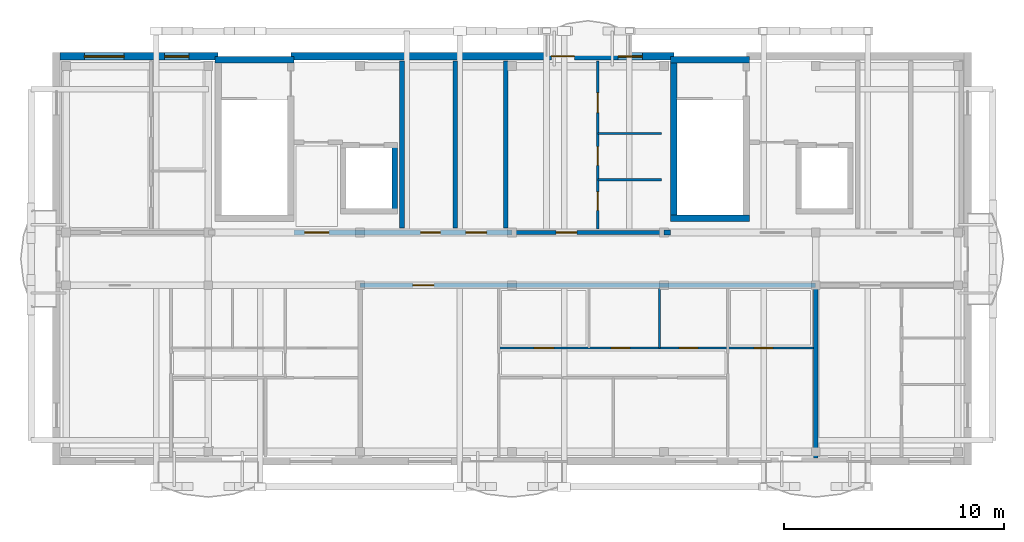
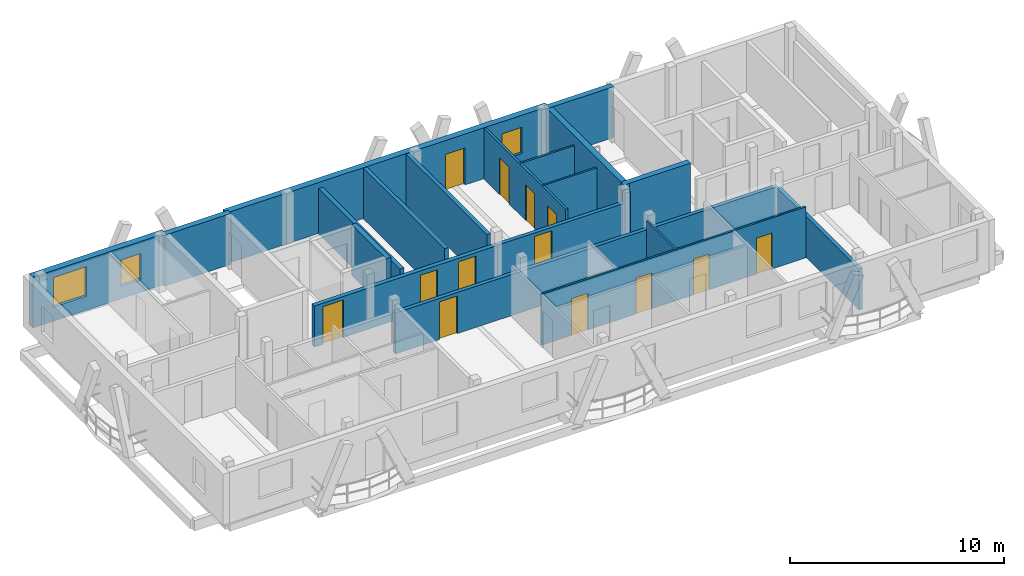
# One storey, part 4 of 7: 20 walls, 13 doors, 3 windows, 16 openings.
"""IFC4 building model written with IfcOpenShell, lengths in metres."""

from ifc_helpers import new_model, si_unit, direction, frame, frame_2d, origin, origin_with_axes, place, context, subcontext, project, spatial, rectangle, extrude, material, layer, layer_set, type_object, element, fill, save


model = new_model("IFC4")

# Units and contexts
model_context = context("Model", 3, precision=1e-05, world=origin(), true_north=direction((0.0, 1.0)))
body_context = subcontext(model_context, "Body", "Model", "MODEL_VIEW")
ifc_project = project(units=[si_unit("LENGTHUNIT", "METRE"), si_unit("AREAUNIT", "SQUARE_METRE"), si_unit("VOLUMEUNIT", "CUBIC_METRE"), si_unit("PLANEANGLEUNIT", "RADIAN"), si_unit("MASSUNIT", "GRAM", prefix="KILO")], contexts=[model_context])

# Site, building, storey
site_placement = place(None, origin())
site = spatial("IfcSite", under=ifc_project, at=site_placement, CompositionType="ELEMENT")
building_placement = place(site_placement, origin())
building = spatial("IfcBuilding", under=site, at=building_placement, Name="Zavelmont Quarter", CompositionType="ELEMENT")
storey_placement = place(building_placement, frame((0.0, 0.0, 46.39990234375)))
storey = spatial("IfcBuildingStorey", under=building, at=storey_placement, Name="L14", CompositionType="ELEMENT", Elevation=46.39990234375)

# Wall, openings, windows
ifc_material_1 = material(Name="Natural Belgian limestone", Category="masonry")
ifc_layer_1 = layer(ifc_material_1, 0.340087890625)
ifc_layer_set_1 = layer_set([ifc_layer_1], Name="Natural Belgian limestone")
wall_type_1 = type_object("IfcWallType", Name="EW03", PredefinedType="STANDARD", material=ifc_layer_set_1)
wall_1_placement = place(storey_placement, frame((0.159912109375, 18.39990234375, 0.0), z_axis=(0.0, 0.0, 1.0), x_axis=(1.0, 0.0, 0.0)))
wall_1 = element("IfcWall", 1, at=wall_1_placement, inside=storey, type_object=wall_type_1, Name="L14 exterior limestone wall EW03", PredefinedType="STANDARD", context=body_context, shape_type="SweptSolid", body=[
    extrude(rectangle(XDim=7.190185546875, YDim=0.340087890625, at=frame_2d((3.59521484375, 0.0))), origin(), (0.0, 0.0, 1.0), 2.91015625),
])
opening_1_placement = place(wall_1_placement, frame((1.110107421875, 0.0, 0.800048828125)))
opening_1 = element("IfcOpeningElement", 2, at=opening_1_placement, cuts=wall_1, Name="Opening WN02", PredefinedType="OPENING", context=body_context, shape_type="SweptSolid", body=[
    extrude(rectangle(XDim=1.800048828125, YDim=1.699951171875, at=frame_2d((0.89990234375, 0.85009765625))), frame((0.0, 0.18212890625, 0.0), z_axis=(0.0, -1.0, 0.0), x_axis=(1.0, 0.0, 0.0)), (0.0, 0.0, 1.0), 0.364013671875),
])
opening_2_placement = place(wall_1_placement, frame((4.760009765625, 0.0, 0.719970703125)))
opening_2 = element("IfcOpeningElement", 3, at=opening_2_placement, cuts=wall_1, Name="Opening WN09", PredefinedType="OPENING", context=body_context, shape_type="SweptSolid", body=[
    extrude(rectangle(XDim=1.10009765625, YDim=1.5, at=frame_2d((0.550048828125, 0.75))), frame((0.0, 0.18212890625, 0.0), z_axis=(0.0, -1.0, 0.0), x_axis=(1.0, 0.0, 0.0)), (0.0, 0.0, 1.0), 0.364013671875),
])
ifc_material_2 = material(Name="Double low-E insulated glazing in thermally broken aluminium frame", Category="aluminium")
window_type_1 = type_object("IfcWindowType", Name="WN02", PartitioningType="SINGLE_PANEL", PredefinedType="WINDOW", material=ifc_material_2)
window_1_placement = place(opening_1_placement, origin_with_axes())
window_1 = element("IfcWindow", 4, at=window_1_placement, inside=storey, type_object=window_type_1, Name="L14 window WN02", OverallHeight=1.699951171875, OverallWidth=1.800048828125, PartitioningType="SINGLE_PANEL", PredefinedType="WINDOW", context=body_context, shape_type="SweptSolid", body=[
    extrude(rectangle(XDim=1.800048828125, YDim=1.699951171875, at=frame_2d((0.89990234375, 0.85009765625))), frame((0.0, 0.030029296875, 0.0), z_axis=(0.0, -1.0, 0.0), x_axis=(1.0, 0.0, 0.0)), (0.0, 0.0, 1.0), 0.06005859375),
])
fill(opening_1, window_1)
window_type_2 = type_object("IfcWindowType", Name="WN09", PartitioningType="SINGLE_PANEL", PredefinedType="WINDOW", material=ifc_material_2)
window_2_placement = place(opening_2_placement, origin_with_axes())
window_2 = element("IfcWindow", 5, at=window_2_placement, inside=storey, type_object=window_type_2, Name="L14 window WN09", OverallHeight=1.5, OverallWidth=1.10009765625, PartitioningType="SINGLE_PANEL", PredefinedType="WINDOW", context=body_context, shape_type="SweptSolid", body=[
    extrude(rectangle(XDim=1.10009765625, YDim=1.5, at=frame_2d((0.550048828125, 0.75))), frame((0.0, 0.030029296875, 0.0), z_axis=(0.0, -1.0, 0.0), x_axis=(1.0, 0.0, 0.0)), (0.0, 0.0, 1.0), 0.06005859375),
])
fill(opening_2, window_2)

# Wall, openings, door, window
wall_2_placement = place(storey_placement, frame((10.64990234375, 18.39990234375, 0.0), z_axis=(0.0, 0.0, 1.0), x_axis=(1.0, 0.0, 0.0)))
wall_2 = element("IfcWall", 6, at=wall_2_placement, inside=storey, type_object=wall_type_1, Name="L14 exterior limestone wall EW03", PredefinedType="STANDARD", context=body_context, shape_type="SweptSolid", body=[
    extrude(rectangle(XDim=17.400146484375, YDim=0.340087890625, at=frame_2d((8.7001953125, 0.0))), origin(), (0.0, 0.0, 1.0), 2.91015625),
])
opening_3_placement = place(wall_2_placement, frame((11.83740234375, 0.0, 0.0)))
opening_3 = element("IfcOpeningElement", 7, at=opening_3_placement, cuts=wall_2, Name="Opening DR04A", PredefinedType="OPENING", context=body_context, shape_type="SweptSolid", body=[
    extrude(rectangle(XDim=1.050048828125, YDim=2.1201171875, at=frame_2d((0.52490234375, 1.06005859375))), frame((0.0, 0.18212890625, 0.0), z_axis=(0.0, -1.0, 0.0), x_axis=(1.0, 0.0, 0.0)), (0.0, 0.0, 1.0), 0.364013671875),
])
opening_4_placement = place(wall_2_placement, frame((14.8701171875, 0.0, 0.719970703125)))
opening_4 = element("IfcOpeningElement", 8, at=opening_4_placement, cuts=wall_2, Name="Opening WN09", PredefinedType="OPENING", context=body_context, shape_type="SweptSolid", body=[
    extrude(rectangle(XDim=1.10009765625, YDim=1.5, at=frame_2d((0.550048828125, 0.75))), frame((0.0, 0.18212890625, 0.0), z_axis=(0.0, -1.0, 0.0), x_axis=(1.0, 0.0, 0.0)), (0.0, 0.0, 1.0), 0.364013671875),
])
ifc_material_3 = material(Name="Thermally broken aluminium and double safety glass", Category="aluminium")
door_type_1 = type_object("IfcDoorType", Name="DR04A", OperationType="NOTDEFINED", PredefinedType="DOOR", material=ifc_material_3)
door_1_placement = place(opening_3_placement, frame((1.050048828125, 0.0, 0.0), z_axis=(0.0, 0.0, 1.0), x_axis=(-1.0, 0.0, 0.0)))
door_1 = element("IfcDoor", 9, at=door_1_placement, inside=storey, type_object=door_type_1, Name="Block A L14 glazed balcony door", OperationType="SINGLE_SWING_LEFT", OverallHeight=2.1201171875, OverallWidth=1.050048828125, PredefinedType="DOOR", context=body_context, shape_type="SweptSolid", body=[
    extrude(rectangle(XDim=1.050048828125, YDim=2.1201171875, at=frame_2d((0.52490234375, 1.06005859375))), frame((0.0, 0.02490234375, 0.0), z_axis=(0.0, -1.0, 0.0), x_axis=(1.0, 0.0, 0.0)), (0.0, 0.0, 1.0), 0.050048828125),
])
fill(opening_3, door_1)
window_3_placement = place(opening_4_placement, origin_with_axes())
window_3 = element("IfcWindow", 10, at=window_3_placement, inside=storey, type_object=window_type_2, Name="L14 window WN09", OverallHeight=1.5, OverallWidth=1.10009765625, PartitioningType="SINGLE_PANEL", PredefinedType="WINDOW", context=body_context, shape_type="SweptSolid", body=[
    extrude(rectangle(XDim=1.10009765625, YDim=1.5, at=frame_2d((0.550048828125, 0.75))), frame((0.0, 0.030029296875, 0.0), z_axis=(0.0, -1.0, 0.0), x_axis=(1.0, 0.0, 0.0)), (0.0, 0.0, 1.0), 0.06005859375),
])
fill(opening_4, window_3)

# Walls
ifc_material_4 = material(Name="Calcium-silicate blockwork and acoustic plaster", Category="masonry")
ifc_layer_2 = layer(ifc_material_4, 0.199951171875)
ifc_layer_set_2 = layer_set([ifc_layer_2], Name="Calcium-silicate blockwork and acoustic plaster")
wall_type_2 = type_object("IfcWallType", Name="IW01", PredefinedType="PARTITIONING", material=ifc_layer_set_2)
for number, where, z_axis, x_axis, name in (
    (11, (18.125, 10.60009765625, 0.0), (0.0, 0.0, 1.0), (0.0, 1.0, 0.0), "L14 Service riser divider wall IW01"),
    (12, (20.419921875, 10.60009765625, 0.0), (0.0, 0.0, 1.0), (0.0, 1.0, 0.0), "L14 Core service end wall IW01"),
):
    element("IfcWall", number, at=place(storey_placement, frame(where, z_axis=z_axis, x_axis=x_axis)), inside=storey, type_object=wall_type_2, Name=name, PredefinedType="PARTITIONING", context=body_context, shape_type="SweptSolid", body=[
        extrude(rectangle(XDim=7.599853515625, YDim=0.199951171875, at=frame_2d((3.7998046875, 0.0))), origin(), (0.0, 0.0, 1.0), 2.91015625),
    ])
wall_3_placement = place(storey_placement, frame((34.5, 7.85009765625, 0.0), z_axis=(0.0, 0.0, 1.0), x_axis=(0.0, -1.0, 0.0)))
element("IfcWall", 13, at=wall_3_placement, inside=storey, type_object=wall_type_2, Name="L14 Inter-dwelling compartment wall IW01", PredefinedType="PARTITIONING", context=body_context, shape_type="SweptSolid", body=[
    extrude(rectangle(XDim=7.7001953125, YDim=0.199951171875, at=frame_2d((3.85009765625, 0.0))), origin(), (0.0, 0.0, 1.0), 2.35009765625),
])

# Wall, opening, door
wall_4_placement = place(storey_placement, frame((13.800048828125, 8.0, 0.0), z_axis=(0.0, 0.0, 1.0), x_axis=(1.0, 0.0, 0.0)))
wall_4 = element("IfcWall", 14, at=wall_4_placement, inside=storey, type_object=wall_type_2, Name="L14 Corridor compartment wall IW01", PredefinedType="PARTITIONING", context=body_context, shape_type="SweptSolid", body=[
    extrude(rectangle(XDim=20.699951171875, YDim=0.199951171875, at=frame_2d((10.35009765625, 0.0))), origin(), (0.0, 0.0, 1.0), 2.35009765625),
])
opening_5_placement = place(wall_4_placement, frame((2.39990234375, 0.0, 0.0)))
opening_5 = element("IfcOpeningElement", 15, at=opening_5_placement, cuts=wall_4, Name="Opening DR02", PredefinedType="OPENING", context=body_context, shape_type="SweptSolid", body=[
    extrude(rectangle(XDim=0.949951171875, YDim=2.14990234375, at=frame_2d((0.47509765625, 1.074951171875))), frame((0.0, 0.11181640625, 0.0), z_axis=(0.0, -1.0, 0.0), x_axis=(1.0, 0.0, 0.0)), (0.0, 0.0, 1.0), 0.223876953125),
])
ifc_material_5 = material(Name="Solid-core oak fire leaf in steel frame", Category="steel")
door_type_2 = type_object("IfcDoorType", Name="DR02", OperationType="NOTDEFINED", PredefinedType="DOOR", material=ifc_material_5)
door_2_placement = place(opening_5_placement, frame((0.949951171875, 0.0, 0.0), z_axis=(0.0, 0.0, 1.0), x_axis=(-1.0, 0.0, 0.0)))
door_2 = element("IfcDoor", 16, at=door_2_placement, inside=storey, type_object=door_type_2, Name="L14 door DR02", OperationType="SINGLE_SWING_RIGHT", OverallHeight=2.14990234375, OverallWidth=0.949951171875, PredefinedType="DOOR", context=body_context, shape_type="SweptSolid", body=[
    extrude(rectangle(XDim=0.949951171875, YDim=2.14990234375, at=frame_2d((0.47509765625, 1.074951171875))), frame((0.0, 0.02490234375, 0.0), z_axis=(0.0, -1.0, 0.0), x_axis=(1.0, 0.0, 0.0)), (0.0, 0.0, 1.0), 0.050048828125),
])
fill(opening_5, door_2)

wall_5_placement = place(storey_placement, frame((20.699951171875, 10.39990234375, 0.0), z_axis=(0.0, 0.0, 1.0), x_axis=(1.0, 0.0, 0.0)))
wall_5 = element("IfcWall", 17, at=wall_5_placement, inside=storey, type_object=wall_type_2, Name="L14 Corridor compartment wall IW01", PredefinedType="PARTITIONING", context=body_context, shape_type="SweptSolid", body=[
    extrude(rectangle(XDim=6.900146484375, YDim=0.199951171875, at=frame_2d((3.4501953125, 0.0))), origin(), (0.0, 0.0, 1.0), 2.35009765625),
])
opening_6_placement = place(wall_5_placement, frame((2.0, 0.0, 0.0)))
opening_6 = element("IfcOpeningElement", 18, at=opening_6_placement, cuts=wall_5, Name="Opening DR02", PredefinedType="OPENING", context=body_context, shape_type="SweptSolid", body=[
    extrude(rectangle(XDim=0.949951171875, YDim=2.14990234375, at=frame_2d((0.47509765625, 1.074951171875))), frame((0.0, 0.11181640625, 0.0), z_axis=(0.0, -1.0, 0.0), x_axis=(1.0, 0.0, 0.0)), (0.0, 0.0, 1.0), 0.223876953125),
])
door_3_placement = place(opening_6_placement, origin_with_axes())
door_3 = element("IfcDoor", 19, at=door_3_placement, inside=storey, type_object=door_type_2, Name="L14 door DR02", OperationType="SINGLE_SWING_LEFT", OverallHeight=2.14990234375, OverallWidth=0.949951171875, PredefinedType="DOOR", context=body_context, shape_type="SweptSolid", body=[
    extrude(rectangle(XDim=0.949951171875, YDim=2.14990234375, at=frame_2d((0.47509765625, 1.074951171875))), frame((0.0, 0.02490234375, 0.0), z_axis=(0.0, -1.0, 0.0), x_axis=(1.0, 0.0, 0.0)), (0.0, 0.0, 1.0), 0.050048828125),
])
fill(opening_6, door_3)

# Wall
ifc_material_6 = material(Name="Reinforced masonry fire compartment wall", Category="masonry")
ifc_layer_3 = layer(ifc_material_6, 0.22509765625)
ifc_layer_set_3 = layer_set([ifc_layer_3], Name="Reinforced masonry fire compartment wall")
wall_type_3 = type_object("IfcWallType", Name="IW02", PredefinedType="PARTITIONING", material=ifc_layer_set_3)
wall_6_placement = place(storey_placement, frame((15.7099609375, 10.60009765625, 0.0), z_axis=(0.0, 0.0, 1.0), x_axis=(0.0, 1.0, 0.0)))
element("IfcWall", 20, at=wall_6_placement, inside=storey, type_object=wall_type_3, Name="L14 Firefighting lobby enclosure wall IW02", PredefinedType="PARTITIONING", context=body_context, shape_type="SweptSolid", body=[
    extrude(rectangle(XDim=7.599853515625, YDim=0.22509765625, at=frame_2d((3.7998046875, 0.0))), origin(), (0.0, 0.0, 1.0), 2.590087890625),
])

# Wall, openings, doors
wall_7_placement = place(storey_placement, frame((10.800048828125, 10.39990234375, 0.0), z_axis=(0.0, 0.0, 1.0), x_axis=(1.0, 0.0, 0.0)))
wall_7 = element("IfcWall", 21, at=wall_7_placement, inside=storey, type_object=wall_type_3, Name="L14 Core corridor fire wall IW02", PredefinedType="PARTITIONING", context=body_context, shape_type="SweptSolid", body=[
    extrude(rectangle(XDim=9.89990234375, YDim=0.22509765625, at=frame_2d((4.949951171875, 0.0))), origin(), (0.0, 0.0, 1.0), 2.35009765625),
])
opening_7_placement = place(wall_7_placement, frame((0.47509765625, 0.0, 0.0)))
opening_7 = element("IfcOpeningElement", 22, at=opening_7_placement, cuts=wall_7, Name="Opening DR10", PredefinedType="OPENING", context=body_context, shape_type="SweptSolid", body=[
    extrude(rectangle(XDim=1.10009765625, YDim=2.14990234375, at=frame_2d((0.550048828125, 1.074951171875))), frame((0.0, 0.12451171875, 0.0), z_axis=(0.0, -1.0, 0.0), x_axis=(1.0, 0.0, 0.0)), (0.0, 0.0, 1.0), 0.2490234375),
])
opening_8_placement = place(wall_7_placement, frame((5.75, 0.0, 0.0)))
opening_8 = element("IfcOpeningElement", 23, at=opening_8_placement, cuts=wall_7, Name="Opening DR11", PredefinedType="OPENING", context=body_context, shape_type="SweptSolid", body=[
    extrude(rectangle(XDim=0.89990234375, YDim=2.10009765625, at=frame_2d((0.449951171875, 1.050048828125))), frame((0.0, 0.12451171875, 0.0), z_axis=(0.0, -1.0, 0.0), x_axis=(1.0, 0.0, 0.0)), (0.0, 0.0, 1.0), 0.2490234375),
])
opening_9_placement = place(wall_7_placement, frame((7.800048828125, 0.0, 0.0)))
opening_9 = element("IfcOpeningElement", 24, at=opening_9_placement, cuts=wall_7, Name="Opening DR02", PredefinedType="OPENING", context=body_context, shape_type="SweptSolid", body=[
    extrude(rectangle(XDim=0.949951171875, YDim=2.14990234375, at=frame_2d((0.47509765625, 1.074951171875))), frame((0.0, 0.12451171875, 0.0), z_axis=(0.0, -1.0, 0.0), x_axis=(1.0, 0.0, 0.0)), (0.0, 0.0, 1.0), 0.2490234375),
])
door_4_placement = place(opening_9_placement, frame((0.949951171875, 0.0, 0.0), z_axis=(0.0, 0.0, 1.0), x_axis=(-1.0, 0.0, 0.0)))
door_4 = element("IfcDoor", 25, at=door_4_placement, inside=storey, type_object=door_type_2, Name="Auxiliary store corridor door", OperationType="SINGLE_SWING_RIGHT", OverallHeight=2.14990234375, OverallWidth=0.949951171875, PredefinedType="DOOR", context=body_context, shape_type="SweptSolid", body=[
    extrude(rectangle(XDim=0.949951171875, YDim=2.14990234375, at=frame_2d((0.47509765625, 1.074951171875))), frame((0.0, 0.02490234375, 0.0), z_axis=(0.0, -1.0, 0.0), x_axis=(1.0, 0.0, 0.0)), (0.0, 0.0, 1.0), 0.050048828125),
])
fill(opening_9, door_4)
ifc_material_7 = material(Name="Painted steel lobby fire door", Category="steel")
door_type_3 = type_object("IfcDoorType", Name="DR10", OperationType="NOTDEFINED", PredefinedType="DOOR", material=ifc_material_7)
door_5_placement = place(opening_7_placement, origin_with_axes())
door_5 = element("IfcDoor", 26, at=door_5_placement, inside=storey, type_object=door_type_3, Name="Core vestibule fire door", OperationType="SINGLE_SWING_LEFT", OverallHeight=2.14990234375, OverallWidth=1.10009765625, PredefinedType="DOOR", context=body_context, shape_type="SweptSolid", body=[
    extrude(rectangle(XDim=1.10009765625, YDim=2.14990234375, at=frame_2d((0.550048828125, 1.074951171875))), frame((0.0, 0.02490234375, 0.0), z_axis=(0.0, -1.0, 0.0), x_axis=(1.0, 0.0, 0.0)), (0.0, 0.0, 1.0), 0.050048828125),
])
fill(opening_7, door_5)
ifc_material_8 = material(Name="Painted steel service-riser fire door", Category="steel")
door_type_4 = type_object("IfcDoorType", Name="DR11", OperationType="NOTDEFINED", PredefinedType="DOOR", material=ifc_material_8)
door_6_placement = place(opening_8_placement, frame((0.89990234375, 0.0, 0.0), z_axis=(0.0, 0.0, 1.0), x_axis=(-1.0, 0.0, 0.0)))
door_6 = element("IfcDoor", 27, at=door_6_placement, inside=storey, type_object=door_type_4, Name="Service riser fire door", OperationType="SINGLE_SWING_LEFT", OverallHeight=2.10009765625, OverallWidth=0.89990234375, PredefinedType="DOOR", context=body_context, shape_type="SweptSolid", body=[
    extrude(rectangle(XDim=0.89990234375, YDim=2.10009765625, at=frame_2d((0.449951171875, 1.050048828125))), frame((0.0, 0.02490234375, 0.0), z_axis=(0.0, -1.0, 0.0), x_axis=(1.0, 0.0, 0.0)), (0.0, 0.0, 1.0), 0.050048828125),
])
fill(opening_8, door_6)

# Wall
wall_8_placement = place(storey_placement, frame((27.60009765625, 10.39990234375, 0.0), z_axis=(0.0, 0.0, 1.0), x_axis=(1.0, 0.0, 0.0)))
element("IfcWall", 28, at=wall_8_placement, inside=storey, type_object=wall_type_3, Name="L14 Core corridor wall IW02", PredefinedType="PARTITIONING", context=body_context, shape_type="SweptSolid", body=[
    extrude(rectangle(XDim=0.2998046875, YDim=0.22509765625, at=frame_2d((0.14990234375, 0.0))), origin(), (0.0, 0.0, 1.0), 2.91015625),
])

# Wall, openings, doors
ifc_material_9 = material(Name="Double gypsum board on acoustic steel stud", Category="steel")
ifc_layer_4 = layer(ifc_material_9, 0.125)
ifc_layer_set_4 = layer_set([ifc_layer_4], Name="Double gypsum board on acoustic steel stud")
wall_type_4 = type_object("IfcWallType", Name="IW03", PredefinedType="PARTITIONING", material=ifc_layer_set_4)
wall_9_placement = place(storey_placement, frame((24.60009765625, 10.550048828125, 0.0), z_axis=(0.0, 0.0, 1.0), x_axis=(0.0, 1.0, 0.0)))
wall_9 = element("IfcWall", 29, at=wall_9_placement, inside=storey, type_object=wall_type_4, Name="L14 Partition IW03", PredefinedType="PARTITIONING", context=body_context, shape_type="SweptSolid", body=[
    extrude(rectangle(XDim=7.64990234375, YDim=0.125, at=frame_2d((3.824951171875, 0.0))), origin(), (0.0, 0.0, 1.0), 2.91015625),
])
opening_10_placement = place(wall_9_placement, frame((0.85009765625, 0.0, 0.0)))
opening_10 = element("IfcOpeningElement", 30, at=opening_10_placement, cuts=wall_9, Name="Opening DR16", PredefinedType="OPENING", context=body_context, shape_type="SweptSolid", body=[
    extrude(rectangle(XDim=0.85009765625, YDim=2.10009765625, at=frame_2d((0.425048828125, 1.050048828125))), frame((0.0, 0.074462890625, 0.0), z_axis=(0.0, -1.0, 0.0), x_axis=(1.0, 0.0, 0.0)), (0.0, 0.0, 1.0), 0.14892578125),
])
opening_11_placement = place(wall_9_placement, frame((2.89990234375, 0.0, 0.0)))
opening_11 = element("IfcOpeningElement", 31, at=opening_11_placement, cuts=wall_9, Name="Opening DR06", PredefinedType="OPENING", context=body_context, shape_type="SweptSolid", body=[
    extrude(rectangle(XDim=0.85009765625, YDim=2.050048828125, at=frame_2d((0.425048828125, 1.02490234375))), frame((0.0, 0.074462890625, 0.0), z_axis=(0.0, -1.0, 0.0), x_axis=(1.0, 0.0, 0.0)), (0.0, 0.0, 1.0), 0.14892578125),
])
opening_12_placement = place(wall_9_placement, frame((5.300048828125, 0.0, 0.0)))
opening_12 = element("IfcOpeningElement", 32, at=opening_12_placement, cuts=wall_9, Name="Opening DR05", PredefinedType="OPENING", context=body_context, shape_type="SweptSolid", body=[
    extrude(rectangle(XDim=0.89990234375, YDim=2.10009765625, at=frame_2d((0.449951171875, 1.050048828125))), frame((0.0, 0.074462890625, 0.0), z_axis=(0.0, -1.0, 0.0), x_axis=(1.0, 0.0, 0.0)), (0.0, 0.0, 1.0), 0.14892578125),
])
ifc_material_10 = material(Name="Engineered oak flush interior door")
door_type_5 = type_object("IfcDoorType", Name="DR05", OperationType="NOTDEFINED", PredefinedType="DOOR", material=ifc_material_10)
door_7_placement = place(opening_12_placement, frame((0.89990234375, 0.0, 0.0), z_axis=(0.0, 0.0, 1.0), x_axis=(-1.0, 0.0, 0.0)))
door_7 = element("IfcDoor", 33, at=door_7_placement, inside=storey, type_object=door_type_5, Name="L14 door DR05", OperationType="SINGLE_SWING_LEFT", OverallHeight=2.10009765625, OverallWidth=0.89990234375, PredefinedType="DOOR", context=body_context, shape_type="SweptSolid", body=[
    extrude(rectangle(XDim=0.89990234375, YDim=2.10009765625, at=frame_2d((0.449951171875, 1.050048828125))), frame((0.0, 0.02490234375, 0.0), z_axis=(0.0, -1.0, 0.0), x_axis=(1.0, 0.0, 0.0)), (0.0, 0.0, 1.0), 0.050048828125),
])
fill(opening_12, door_7)
ifc_material_11 = material(Name="Moisture-resistant painted wet-room door")
door_type_6 = type_object("IfcDoorType", Name="DR06", OperationType="NOTDEFINED", PredefinedType="DOOR", material=ifc_material_11)
door_8_placement = place(opening_11_placement, origin_with_axes())
door_8 = element("IfcDoor", 34, at=door_8_placement, inside=storey, type_object=door_type_6, Name="L14 door DR06", OperationType="SINGLE_SWING_RIGHT", OverallHeight=2.050048828125, OverallWidth=0.85009765625, PredefinedType="DOOR", context=body_context, shape_type="SweptSolid", body=[
    extrude(rectangle(XDim=0.85009765625, YDim=2.050048828125, at=frame_2d((0.425048828125, 1.02490234375))), frame((0.0, 0.02490234375, 0.0), z_axis=(0.0, -1.0, 0.0), x_axis=(1.0, 0.0, 0.0)), (0.0, 0.0, 1.0), 0.050048828125),
])
fill(opening_11, door_8)
door_type_7 = type_object("IfcDoorType", Name="DR16", OperationType="NOTDEFINED", PredefinedType="DOOR", material=ifc_material_10)
door_9_placement = place(opening_10_placement, frame((0.85009765625, 0.0, 0.0), z_axis=(0.0, 0.0, 1.0), x_axis=(-1.0, 0.0, 0.0)))
door_9 = element("IfcDoor", 35, at=door_9_placement, inside=storey, type_object=door_type_7, Name="L14 door DR16", OperationType="SINGLE_SWING_LEFT", OverallHeight=2.10009765625, OverallWidth=0.85009765625, PredefinedType="DOOR", context=body_context, shape_type="SweptSolid", body=[
    extrude(rectangle(XDim=0.85009765625, YDim=2.10009765625, at=frame_2d((0.425048828125, 1.050048828125))), frame((0.0, 0.02490234375, 0.0), z_axis=(0.0, -1.0, 0.0), x_axis=(1.0, 0.0, 0.0)), (0.0, 0.0, 1.0), 0.050048828125),
])
fill(opening_10, door_9)

# Wall
ifc_material_12 = material(Name="Moisture-resistant gypsum board on steel stud", Category="steel")
ifc_layer_5 = layer(ifc_material_12, 0.10009765625)
ifc_layer_set_5 = layer_set([ifc_layer_5], Name="Moisture-resistant gypsum board on steel stud")
wall_type_5 = type_object("IfcWallType", Name="IW04", PredefinedType="PARTITIONING", material=ifc_layer_set_5)
wall_10_placement = place(storey_placement, frame((27.39990234375, 7.85009765625, 0.0), z_axis=(0.0, 0.0, 1.0), x_axis=(0.0, -1.0, 0.0)))
element("IfcWall", 36, at=wall_10_placement, inside=storey, type_object=wall_type_5, Name="L14 Partition IW04", PredefinedType="PARTITIONING", context=body_context, shape_type="SweptSolid", body=[
    extrude(rectangle(XDim=2.7001953125, YDim=0.10009765625, at=frame_2d((1.35009765625, 0.0))), origin(), (0.0, 0.0, 1.0), 2.91015625),
])

# Wall, openings, doors
wall_11_placement = place(storey_placement, frame((20.10009765625, 5.14990234375, 0.0), z_axis=(0.0, 0.0, 1.0), x_axis=(1.0, 0.0, 0.0)))
wall_11 = element("IfcWall", 37, at=wall_11_placement, inside=storey, type_object=wall_type_5, Name="L14 Partition IW04", PredefinedType="PARTITIONING", context=body_context, shape_type="SweptSolid", body=[
    extrude(rectangle(XDim=14.2998046875, YDim=0.10009765625, at=frame_2d((7.14990234375, 0.0))), origin(), (0.0, 0.0, 1.0), 2.91015625),
])
opening_13_placement = place(wall_11_placement, frame((1.60009765625, 0.0, 0.0)))
opening_13 = element("IfcOpeningElement", 38, at=opening_13_placement, cuts=wall_11, Name="Opening DR05", PredefinedType="OPENING", context=body_context, shape_type="SweptSolid", body=[
    extrude(rectangle(XDim=0.89990234375, YDim=2.10009765625, at=frame_2d((0.449951171875, 1.050048828125))), frame((0.0, 0.06201171875, 0.0), z_axis=(0.0, -1.0, 0.0), x_axis=(1.0, 0.0, 0.0)), (0.0, 0.0, 1.0), 0.1240234375),
])
opening_14_placement = place(wall_11_placement, frame((5.10009765625, 0.0, 0.0)))
opening_14 = element("IfcOpeningElement", 39, at=opening_14_placement, cuts=wall_11, Name="Opening DR06", PredefinedType="OPENING", context=body_context, shape_type="SweptSolid", body=[
    extrude(rectangle(XDim=0.85009765625, YDim=2.050048828125, at=frame_2d((0.425048828125, 1.02490234375))), frame((0.0, 0.06201171875, 0.0), z_axis=(0.0, -1.0, 0.0), x_axis=(1.0, 0.0, 0.0)), (0.0, 0.0, 1.0), 0.1240234375),
])
opening_15_placement = place(wall_11_placement, frame((8.199951171875, 0.0, 0.0)))
opening_15 = element("IfcOpeningElement", 40, at=opening_15_placement, cuts=wall_11, Name="Opening DR06", PredefinedType="OPENING", context=body_context, shape_type="SweptSolid", body=[
    extrude(rectangle(XDim=0.85009765625, YDim=2.050048828125, at=frame_2d((0.425048828125, 1.02490234375))), frame((0.0, 0.06201171875, 0.0), z_axis=(0.0, -1.0, 0.0), x_axis=(1.0, 0.0, 0.0)), (0.0, 0.0, 1.0), 0.1240234375),
])
opening_16_placement = place(wall_11_placement, frame((11.60009765625, 0.0, 0.0)))
opening_16 = element("IfcOpeningElement", 41, at=opening_16_placement, cuts=wall_11, Name="Opening DR06", PredefinedType="OPENING", context=body_context, shape_type="SweptSolid", body=[
    extrude(rectangle(XDim=0.85009765625, YDim=2.050048828125, at=frame_2d((0.425048828125, 1.02490234375))), frame((0.0, 0.06201171875, 0.0), z_axis=(0.0, -1.0, 0.0), x_axis=(1.0, 0.0, 0.0)), (0.0, 0.0, 1.0), 0.1240234375),
])
door_10_placement = place(opening_13_placement, frame((0.89990234375, 0.0, 0.0), z_axis=(0.0, 0.0, 1.0), x_axis=(-1.0, 0.0, 0.0)))
door_10 = element("IfcDoor", 42, at=door_10_placement, inside=storey, type_object=door_type_5, Name="L14 door DR05", OperationType="SINGLE_SWING_RIGHT", OverallHeight=2.10009765625, OverallWidth=0.89990234375, PredefinedType="DOOR", context=body_context, shape_type="SweptSolid", body=[
    extrude(rectangle(XDim=0.89990234375, YDim=2.10009765625, at=frame_2d((0.449951171875, 1.050048828125))), frame((0.0, 0.02490234375, 0.0), z_axis=(0.0, -1.0, 0.0), x_axis=(1.0, 0.0, 0.0)), (0.0, 0.0, 1.0), 0.050048828125),
])
fill(opening_13, door_10)
door_11_placement = place(opening_14_placement, origin_with_axes())
door_11 = element("IfcDoor", 43, at=door_11_placement, inside=storey, type_object=door_type_6, Name="L14 door DR06", OperationType="SINGLE_SWING_LEFT", OverallHeight=2.050048828125, OverallWidth=0.85009765625, PredefinedType="DOOR", context=body_context, shape_type="SweptSolid", body=[
    extrude(rectangle(XDim=0.85009765625, YDim=2.050048828125, at=frame_2d((0.425048828125, 1.02490234375))), frame((0.0, 0.02490234375, 0.0), z_axis=(0.0, -1.0, 0.0), x_axis=(1.0, 0.0, 0.0)), (0.0, 0.0, 1.0), 0.050048828125),
])
fill(opening_14, door_11)
door_12_placement = place(opening_15_placement, frame((0.85009765625, 0.0, 0.0), z_axis=(0.0, 0.0, 1.0), x_axis=(-1.0, 0.0, 0.0)))
door_12 = element("IfcDoor", 44, at=door_12_placement, inside=storey, type_object=door_type_6, Name="L14 door DR06", OperationType="SINGLE_SWING_RIGHT", OverallHeight=2.050048828125, OverallWidth=0.85009765625, PredefinedType="DOOR", context=body_context, shape_type="SweptSolid", body=[
    extrude(rectangle(XDim=0.85009765625, YDim=2.050048828125, at=frame_2d((0.425048828125, 1.02490234375))), frame((0.0, 0.02490234375, 0.0), z_axis=(0.0, -1.0, 0.0), x_axis=(1.0, 0.0, 0.0)), (0.0, 0.0, 1.0), 0.050048828125),
])
fill(opening_15, door_12)
door_13_placement = place(opening_16_placement, origin_with_axes())
door_13 = element("IfcDoor", 45, at=door_13_placement, inside=storey, type_object=door_type_6, Name="L14 door DR06", OperationType="SINGLE_SWING_LEFT", OverallHeight=2.050048828125, OverallWidth=0.85009765625, PredefinedType="DOOR", context=body_context, shape_type="SweptSolid", body=[
    extrude(rectangle(XDim=0.85009765625, YDim=2.050048828125, at=frame_2d((0.425048828125, 1.02490234375))), frame((0.0, 0.02490234375, 0.0), z_axis=(0.0, -1.0, 0.0), x_axis=(1.0, 0.0, 0.0)), (0.0, 0.0, 1.0), 0.050048828125),
])
fill(opening_16, door_13)

# Walls
for number, where, z_axis, x_axis, name in (
    (46, (24.60009765625, 12.800048828125, 0.0), (0.0, 0.0, 1.0), (1.0, 0.0, 0.0), "L14 Partition IW04"),
    (47, (24.60009765625, 14.89990234375, 0.0), (0.0, 0.0, 1.0), (1.0, 0.0, 0.0), "L14 Partition IW04"),
):
    element("IfcWall", number, at=place(storey_placement, frame(where, z_axis=z_axis, x_axis=x_axis)), inside=storey, type_object=wall_type_5, Name=name, PredefinedType="PARTITIONING", context=body_context, shape_type="SweptSolid", body=[
        extrude(rectangle(XDim=2.89990234375, YDim=0.10009765625, at=frame_2d((1.449951171875, 0.0))), origin(), (0.0, 0.0, 1.0), 2.91015625),
    ])
ifc_material_13 = material(Name="Concrete C40/50", Category="concrete")
ifc_layer_6 = layer(ifc_material_13, 0.300048828125)
ifc_layer_set_6 = layer_set([ifc_layer_6], Name="Concrete C40/50")
wall_type_6 = type_object("IfcWallType", Name="SW01", PredefinedType="SHEAR", material=ifc_layer_set_6)
wall_12_placement = place(storey_placement, frame((27.89990234375, 11.050048828125, 0.0), z_axis=(0.0, 0.0, 1.0), x_axis=(1.0, 0.0, 0.0)))
element("IfcWall", 48, at=wall_12_placement, inside=storey, type_object=wall_type_6, Name="L14 ST02 corridor shear wall SW01", PredefinedType="SHEAR", context=body_context, shape_type="SweptSolid", body=[
    extrude(rectangle(XDim=3.60009765625, YDim=0.300048828125, at=frame_2d((1.800048828125, 0.0))), origin(), (0.0, 0.0, 1.0), 2.91015625),
])
wall_13_placement = place(storey_placement, frame((28.050048828125, 10.89990234375, 0.0), z_axis=(0.0, 0.0, 1.0), x_axis=(0.0, 1.0, 0.0)))
element("IfcWall", 49, at=wall_13_placement, inside=storey, type_object=wall_type_6, Name="L14 ST02 west shear wall SW01", PredefinedType="SHEAR", context=body_context, shape_type="SweptSolid", body=[
    extrude(rectangle(XDim=7.5, YDim=0.300048828125, at=frame_2d((3.75, 0.0))), origin(), (0.0, 0.0, 1.0), 2.91015625),
])
ifc_layer_7 = layer(ifc_material_13, 0.25)
ifc_layer_set_7 = layer_set([ifc_layer_7], Name="Concrete C40/50")
wall_type_7 = type_object("IfcWallType", Name="SW02", PredefinedType="SHEAR", material=ifc_layer_set_7)
wall_14_placement = place(storey_placement, frame((15.375, 11.25, 0.0), z_axis=(0.0, 0.0, 1.0), x_axis=(0.0, 1.0, 0.0)))
element("IfcWall", 50, at=wall_14_placement, inside=storey, type_object=wall_type_7, Name="L14 Lift FL01 east shaft wall SW02", PredefinedType="SHEAR", context=body_context, shape_type="SweptSolid", body=[
    extrude(rectangle(XDim=3.25, YDim=0.25, at=frame_2d((1.625, 0.0))), origin(), (0.0, 0.0, 1.0), 2.91015625),
])
ifc_layer_8 = layer(ifc_material_13, 0.300048828125)
ifc_layer_set_8 = layer_set([ifc_layer_8], Name="Concrete C40/50")
wall_type_8 = type_object("IfcWallType", Name="SW03", PredefinedType="SHEAR", material=ifc_layer_set_8)
for number, where, z_axis, x_axis, name in (
    (51, (7.199951171875, 18.25, 0.0), (0.0, 0.0, 1.0), (1.0, 0.0, 0.0), "L14 ST01 outer shear wall SW03"),
    (52, (27.89990234375, 18.25, 0.0), (0.0, 0.0, 1.0), (1.0, 0.0, 0.0), "L14 ST02 outer shear wall SW03"),
):
    element("IfcWall", number, at=place(storey_placement, frame(where, z_axis=z_axis, x_axis=x_axis)), inside=storey, type_object=wall_type_8, Name=name, PredefinedType="SHEAR", context=body_context, shape_type="SweptSolid", body=[
        extrude(rectangle(XDim=3.60009765625, YDim=0.300048828125, at=frame_2d((1.800048828125, 0.0))), origin(), (0.0, 0.0, 1.0), 2.91015625),
    ])

save(model, "model.ifc")
